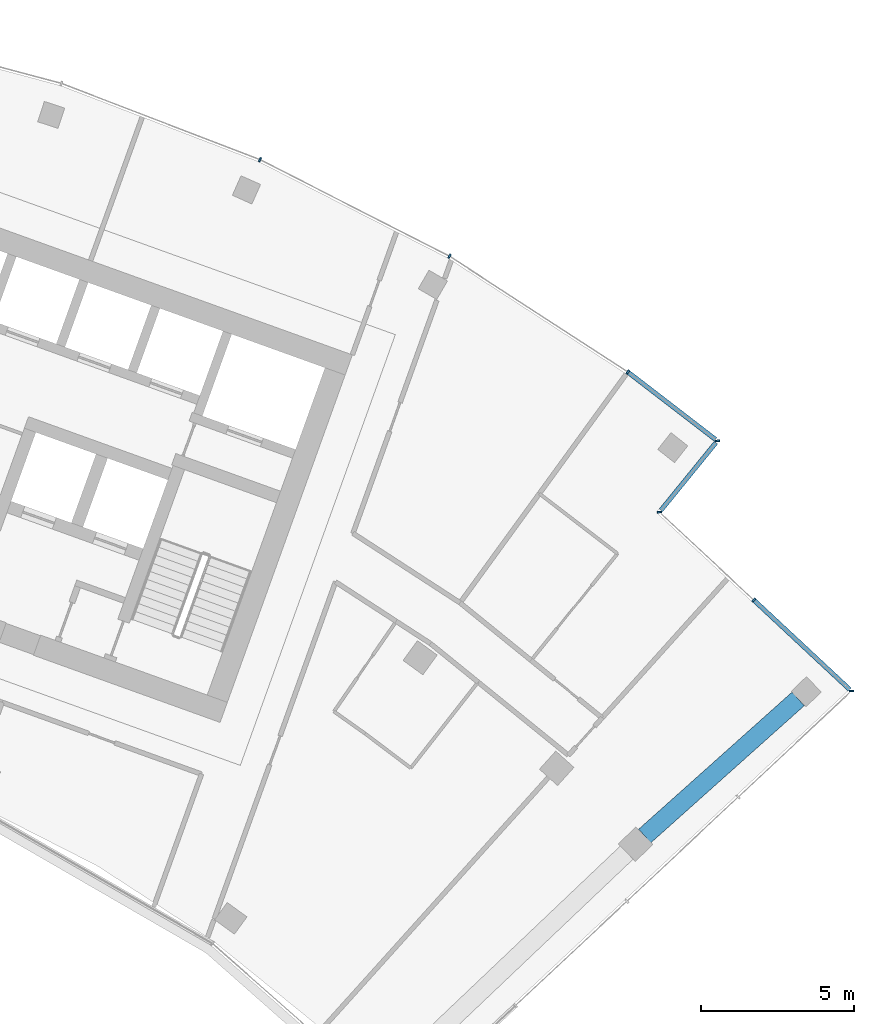
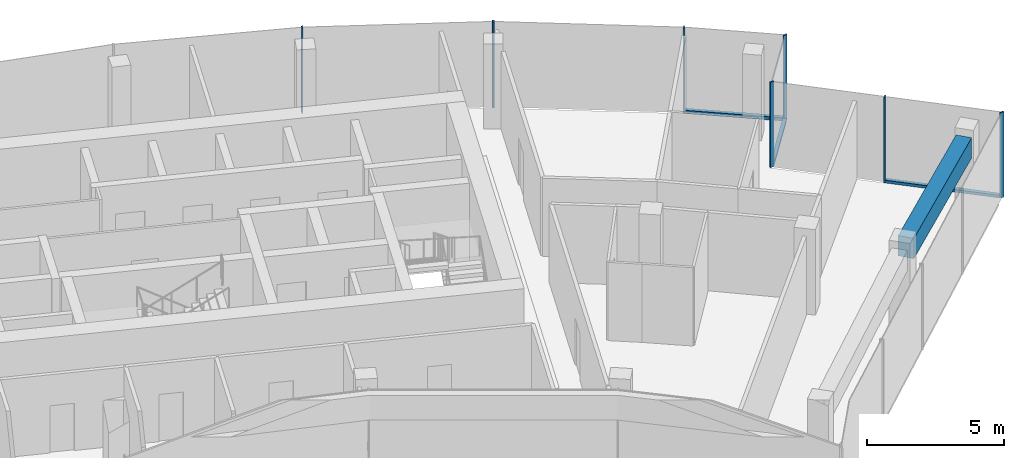
# One storey, part 9 of 18: 10 members, 1 beam, 3 elements without a shape of their own.
"""IFC4 building model written with IfcOpenShell, lengths in metres."""

from ifc_helpers import new_model, si_unit, direction, frame, origin, origin_2d, place, context, subcontext, project, spatial, rectangle, extrude, material, layer, layer_set, material_profile, profile_set, type_object, element, aggregate, save


model = new_model("IFC4")

# Units and contexts
model_context = context("Model", 3, precision=1e-05, world=origin(), true_north=direction((0.0, 1.0)))
body_context = subcontext(model_context, "Body", "Model", "MODEL_VIEW")
ifc_project = project(units=[si_unit("LENGTHUNIT", "METRE"), si_unit("AREAUNIT", "SQUARE_METRE"), si_unit("VOLUMEUNIT", "CUBIC_METRE"), si_unit("PLANEANGLEUNIT", "RADIAN"), si_unit("MASSUNIT", "GRAM", prefix="KILO")], contexts=[model_context])

# Site, building, storey
site_placement = place(None, origin())
site = spatial("IfcSite", under=ifc_project, at=site_placement, CompositionType="ELEMENT")
building_placement = place(site_placement, origin())
building = spatial("IfcBuilding", under=site, at=building_placement, Name="Stone Belt Terrace Tower", CompositionType="ELEMENT")
storey_placement = place(building_placement, frame((0.0, 0.0, 299.800048828125)))
storey = spatial("IfcBuildingStorey", under=building, at=storey_placement, Name="L73", CompositionType="ELEMENT", Elevation=299.800048828125)

# Curtain wall, members
ifc_material_1 = material(Name="Aluminium 6063-T6 anodised frame", Category="aluminium")
ifc_layer_1 = layer(ifc_material_1, 0.14990234375)
ifc_layer_set_1 = layer_set([ifc_layer_1], Name="CW-A unitised convex-face curtain wall")
curtain_wall_type_1 = type_object("IfcCurtainWallType", Name="CW-A unitised convex-face curtain wall", PredefinedType="NOTDEFINED", material=ifc_layer_set_1)
curtain_wall_1_placement = place(storey_placement, origin())
curtain_wall_1 = element("IfcCurtainWall", 1, at=curtain_wall_1_placement, inside=storey, type_object=curtain_wall_type_1, Name="CW-A convex face L73", PredefinedType="NOTDEFINED")
ifc_material_profile_1 = material_profile(ifc_material_1, rectangle(XDim=0.14990234375, YDim=0.06005859375, at=origin_2d()), Name="Aluminium 6063-T6 60x150")
ifc_profile_set_1 = profile_set([ifc_material_profile_1], Name="Aluminium 6063-T6 anodised frame")
member_type_1 = type_object("IfcMemberType", Name="CW-A mullion 60 x 150", PredefinedType="MULLION", material=ifc_profile_set_1)
member_1_placement = place(storey_placement, frame((42.068359375, 51.60205078125, 0.0), z_axis=(0.0, 0.0, 1.0), x_axis=(-0.993258004644, -0.115924700604, 0.0)))
member_1 = element("IfcMember", 2, at=member_1_placement, type_object=member_type_1, Name="CW-A mullion 1", PredefinedType="MULLION", context=body_context, shape_type="SweptSolid", body=[
    extrude(rectangle(XDim=0.14990234375, YDim=0.06005859375, at=origin_2d()), origin(), (0.0, 0.0, 1.0), 3.800048828125),
])
member_2_placement = place(storey_placement, frame((39.131103515625, 53.86083984375, 0.0), z_axis=(0.0, 0.0, 1.0), x_axis=(-0.577587125789, -0.816329046477, 0.0)))
member_2 = element("IfcMember", 3, at=member_2_placement, type_object=member_type_1, Name="CW-A mullion 2", PredefinedType="MULLION", context=body_context, shape_type="SweptSolid", body=[
    extrude(rectangle(XDim=0.14990234375, YDim=0.06005859375, at=origin_2d()), origin(), (0.0, 0.0, 1.0), 3.800048828125),
])
member_3_placement = place(storey_placement, frame((33.28759765625, 57.65576171875, 0.0), z_axis=(0.0, 0.0, 1.0), x_axis=(-0.5, -0.866025403784, 0.0)))
member_3 = element("IfcMember", 4, at=member_3_placement, type_object=member_type_1, Name="CW-A mullion 3", PredefinedType="MULLION", context=body_context, shape_type="SweptSolid", body=[
    extrude(rectangle(XDim=0.14990234375, YDim=0.06005859375, at=origin_2d()), origin(), (0.0, 0.0, 1.0), 3.800048828125),
])
member_4_placement = place(storey_placement, frame((27.07861328125, 60.8193359375, 0.0), z_axis=(0.0, 0.0, 1.0), x_axis=(-0.406736643076, -0.913545457643, 0.0)))
member_4 = element("IfcMember", 5, at=member_4_placement, type_object=member_type_1, Name="CW-A mullion 4", PredefinedType="MULLION", context=body_context, shape_type="SweptSolid", body=[
    extrude(rectangle(XDim=0.14990234375, YDim=0.06005859375, at=origin_2d()), origin(), (0.0, 0.0, 1.0), 3.800048828125),
])
ifc_material_profile_2 = material_profile(ifc_material_1, rectangle(XDim=0.14990234375, YDim=0.139892578125, at=origin_2d()), Name="Aluminium 6063-T6 150x140")
ifc_profile_set_2 = profile_set([ifc_material_profile_2], Name="Aluminium 6063-T6 anodised frame")
member_type_2 = type_object("IfcMemberType", Name="CW-A transom 140 x 150", PredefinedType="USERDEFINED", material=ifc_profile_set_2)
member_5_placement = place(storey_placement, frame((42.00927734375, 51.6474609375, 0.070068359375), z_axis=(-0.79269461464, 0.609618936648, 0.0), x_axis=(-0.609618936648, -0.79269461464, 0.0)))
member_5 = element("IfcMember", 6, at=member_5_placement, type_object=member_type_2, Name="CW-A transom 1.1", ObjectType="TRANSOM", PredefinedType="USERDEFINED", context=body_context, shape_type="SweptSolid", body=[
    extrude(rectangle(XDim=0.14990234375, YDim=0.139892578125, at=origin_2d()), origin(), (0.0, 0.0, 1.0), 3.597900390625),
])
aggregate(curtain_wall_1, [member_1, member_2, member_3, member_4, member_5])

ifc_layer_2 = layer(ifc_material_1, 0.14990234375)
ifc_layer_set_2 = layer_set([ifc_layer_2], Name="CW-C stick curtain wall, horn ends and notches")
curtain_wall_type_2 = type_object("IfcCurtainWallType", Name="CW-C stick curtain wall, horn ends and notches", PredefinedType="NOTDEFINED", material=ifc_layer_set_2)
curtain_wall_2_placement = place(storey_placement, origin())
curtain_wall_2 = element("IfcCurtainWall", 7, at=curtain_wall_2_placement, inside=storey, type_object=curtain_wall_type_2, Name="CW-C notch face L73", PredefinedType="NOTDEFINED")
ifc_material_profile_3 = material_profile(ifc_material_1, rectangle(XDim=0.14990234375, YDim=0.06005859375, at=origin_2d()), Name="Aluminium 6063-T6 60x150")
ifc_profile_set_3 = profile_set([ifc_material_profile_3], Name="Aluminium 6063-T6 anodised frame")
member_type_3 = type_object("IfcMemberType", Name="CW-C mullion 60 x 150", PredefinedType="MULLION", material=ifc_profile_set_3)
member_6_placement = place(storey_placement, frame((46.458740234375, 43.405517578125, 0.0), z_axis=(0.0, 0.0, 1.0), x_axis=(-0.999999447771, -0.00105093149, 0.0)))
member_6 = element("IfcMember", 8, at=member_6_placement, type_object=member_type_3, Name="CW-C mullion 1", PredefinedType="MULLION", context=body_context, shape_type="SweptSolid", body=[
    extrude(rectangle(XDim=0.14990234375, YDim=0.06005859375, at=origin_2d()), origin(), (0.0, 0.0, 1.0), 3.800048828125),
])
member_7_placement = place(storey_placement, frame((43.260009765625, 46.388671875, 0.0), z_axis=(0.0, 0.0, 1.0), x_axis=(-0.682013767261, -0.731339333871, 0.0)))
member_7 = element("IfcMember", 9, at=member_7_placement, type_object=member_type_3, Name="CW-C mullion 2", PredefinedType="MULLION", context=body_context, shape_type="SweptSolid", body=[
    extrude(rectangle(XDim=0.14990234375, YDim=0.06005859375, at=origin_2d()), origin(), (0.0, 0.0, 1.0), 3.800048828125),
])

# Curtain wall, member
curtain_wall_3_placement = place(storey_placement, origin())
curtain_wall_3 = element("IfcCurtainWall", 10, at=curtain_wall_3_placement, inside=storey, type_object=curtain_wall_type_2, Name="CW-C notch face L73", PredefinedType="NOTDEFINED")
member_8_placement = place(storey_placement, frame((40.1708984375, 49.269287109375, 0.0), z_axis=(0.0, 0.0, 1.0), x_axis=(-0.997639702696, -0.068666029474, 0.0)))
member_8 = element("IfcMember", 11, at=member_8_placement, type_object=member_type_3, Name="CW-C mullion 1", PredefinedType="MULLION", context=body_context, shape_type="SweptSolid", body=[
    extrude(rectangle(XDim=0.14990234375, YDim=0.06005859375, at=origin_2d()), origin(), (0.0, 0.0, 1.0), 3.800048828125),
])

# Member
ifc_material_profile_4 = material_profile(ifc_material_1, rectangle(XDim=0.14990234375, YDim=0.1201171875, at=origin_2d()), Name="Aluminium 6063-T6 150x120")
ifc_profile_set_4 = profile_set([ifc_material_profile_4], Name="Aluminium 6063-T6 anodised frame")
member_type_4 = type_object("IfcMemberType", Name="CW-C transom 120 x 150", PredefinedType="USERDEFINED", material=ifc_profile_set_4)
member_9_placement = place(storey_placement, frame((46.40380859375, 43.456787109375, 0.06005859375), z_axis=(-0.731353784958, 0.681998270693, 0.0), x_axis=(-0.681998270693, -0.731353784958, 0.0)))
member_9 = element("IfcMember", 12, at=member_9_placement, type_object=member_type_4, Name="CW-C transom 1.1", ObjectType="TRANSOM", PredefinedType="USERDEFINED", context=body_context, shape_type="SweptSolid", body=[
    extrude(rectangle(XDim=0.14990234375, YDim=0.1201171875, at=origin_2d()), origin(), (0.0, 0.0, 1.0), 4.268798828125),
])

aggregate(curtain_wall_2, [member_6, member_7, member_9])

member_10_placement = place(storey_placement, frame((40.217041015625, 49.325927734375, 0.06005859375), z_axis=(0.631026504781, 0.775761271439, 0.0), x_axis=(-0.775761271439, 0.631026504781, 0.0)))
member_10 = element("IfcMember", 13, at=member_10_placement, type_object=member_type_4, Name="CW-C transom 1.1", ObjectType="TRANSOM", PredefinedType="USERDEFINED", context=body_context, shape_type="SweptSolid", body=[
    extrude(rectangle(XDim=0.14990234375, YDim=0.1201171875, at=origin_2d()), origin(), (0.0, 0.0, 1.0), 2.859130859375),
])

aggregate(curtain_wall_3, [member_8, member_10])

# Beam
ifc_material_2 = material(Name="Concrete B60", Category="concrete")
ifc_material_profile_5 = material_profile(ifc_material_2, rectangle(XDim=0.60009765625, YDim=0.89990234375, at=origin_2d()), Name="RC 600x900")
ifc_profile_set_5 = profile_set([ifc_material_profile_5], Name="Concrete B60")
beam_type = type_object("IfcBeamType", Name="Edge beam RC 600x900 B60", PredefinedType="SPANDREL", material=ifc_profile_set_5)
beam_placement = place(storey_placement, frame((39.68701171875, 38.65380859375, 3.030029296875), z_axis=(0.745651125692, 0.666336550666, 0.0), x_axis=(-0.666336550666, 0.745651125692, 0.0)))
element("IfcBeam", 14, at=beam_placement, inside=storey, type_object=beam_type, Name="Edge beam L73 B Q to R", PredefinedType="SPANDREL", context=body_context, shape_type="SweptSolid", body=[
    extrude(rectangle(XDim=0.60009765625, YDim=0.89990234375, at=origin_2d()), origin(), (0.0, 0.0, 1.0), 6.744140625),
])

save(model, "model.ifc")
